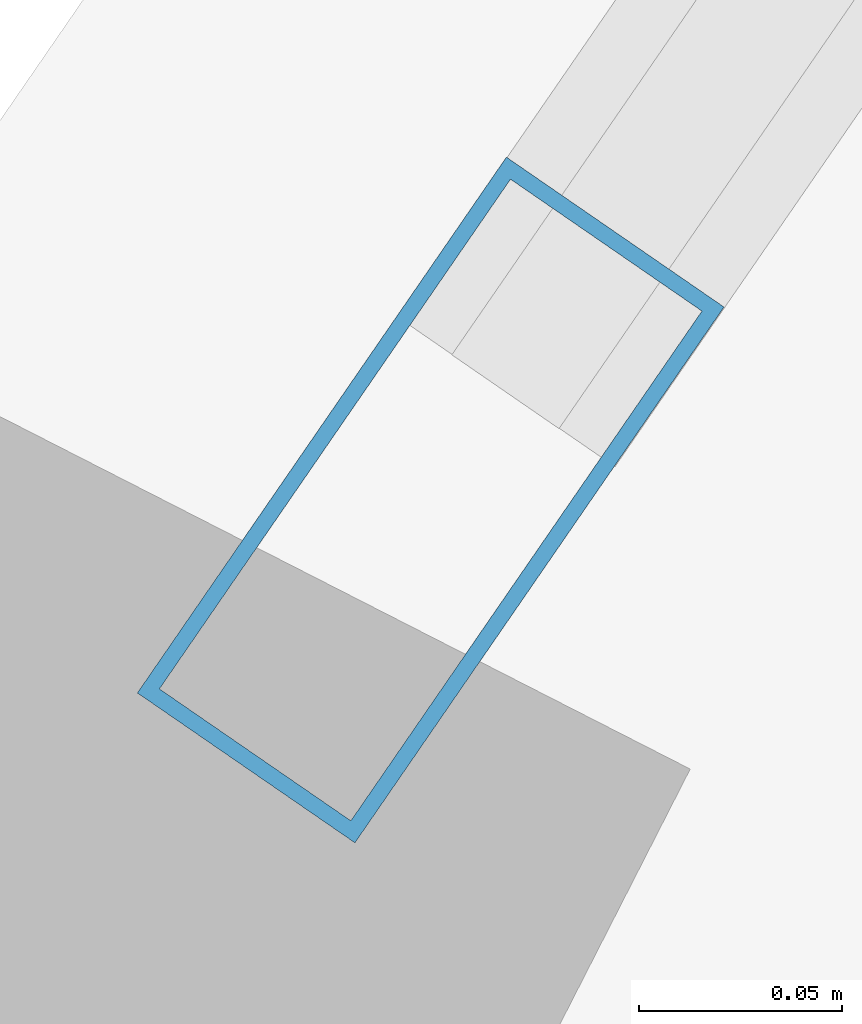
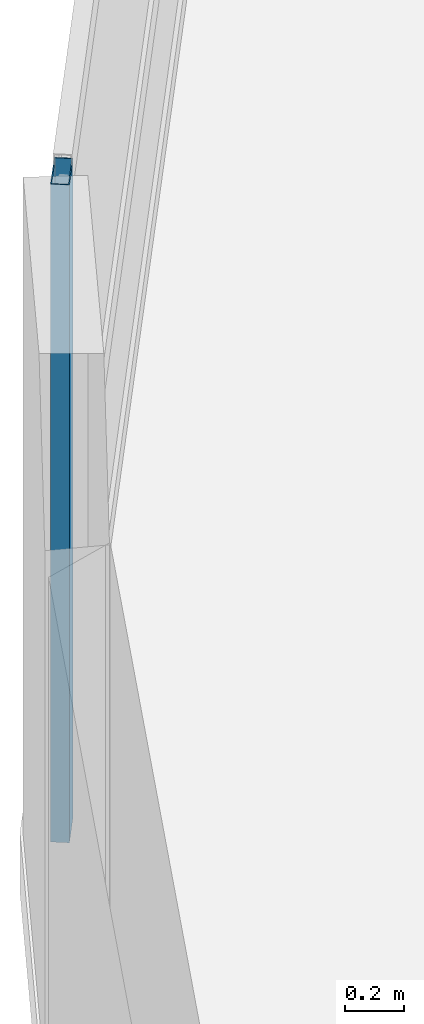
# One storey, part 2 of 24: 1 member, 1 element without a shape of its own.
"""IFC4 building model written with IfcOpenShell, lengths in metres."""

from ifc_helpers import new_model, si_unit, direction, frame, origin, origin_2d, place, context, subcontext, project, spatial, hollow_rectangle, extrude, material, layer, layer_set, material_profile, profile_set, type_object, element, aggregate, save


model = new_model("IFC4")

# Units and contexts
model_context = context("Model", 3, precision=1e-05, world=origin(), true_north=direction((0.0, 1.0)))
body_context = subcontext(model_context, "Body", "Model", "MODEL_VIEW")
ifc_project = project(units=[si_unit("LENGTHUNIT", "METRE"), si_unit("AREAUNIT", "SQUARE_METRE"), si_unit("VOLUMEUNIT", "CUBIC_METRE"), si_unit("PLANEANGLEUNIT", "RADIAN"), si_unit("MASSUNIT", "GRAM", prefix="KILO")], contexts=[model_context])

# Site, building, storey
site_placement = place(None, origin())
site = spatial("IfcSite", under=ifc_project, at=site_placement, CompositionType="ELEMENT")
building_placement = place(site_placement, origin())
building = spatial("IfcBuilding", under=site, at=building_placement, Name="Varnelok Gate Tower", CompositionType="ELEMENT")
storey_placement = place(building_placement, frame((0.0, 0.0, 41.800048828125)))
storey = spatial("IfcBuildingStorey", under=building, at=storey_placement, Name="L09", CompositionType="ELEMENT", Elevation=41.800048828125)

# Curtain wall, member
ifc_material = material(Name="Anodized Aluminum Alloy 6063-T6", Category="aluminium")
ifc_layer = layer(ifc_material, 0.179931640625)
ifc_layer_set = layer_set([ifc_layer], Name="Anodized Aluminum Alloy 6063-T6")
curtain_wall_type = type_object("IfcCurtainWallType", Name="CW3-HOTEL-VISION", PredefinedType="USERDEFINED", material=ifc_layer_set)
curtain_wall_placement = place(storey_placement, origin())
curtain_wall = element("IfcCurtainWall", 1, at=curtain_wall_placement, inside=storey, type_object=curtain_wall_type, Name="L09 West End Vision Curtain Wall", ObjectType="UNITISED CURTAIN WALL", PredefinedType="USERDEFINED")
ifc_material_profile = material_profile(ifc_material, hollow_rectangle(XDim=0.06494140625, YDim=0.159912109375, WallThickness=0.00390625, at=origin_2d()), Name="ALU160X65X4")
ifc_profile_set = profile_set([ifc_material_profile], Name="Anodized Aluminum Alloy 6063-T6")
member_type = type_object("IfcMemberType", Name="CW-MULL-160", PredefinedType="MULLION", material=ifc_profile_set)
member_placement = place(storey_placement, frame((-4.1240234375, 31.2607421875, 0.0), z_axis=(0.0, 0.0, 1.0), x_axis=(-0.823532685111, 0.567268822124, 0.0)))
member = element("IfcMember", 2, at=member_placement, type_object=member_type, Name="CW3 mullion 1", PredefinedType="MULLION", context=body_context, shape_type="SweptSolid", body=[
    extrude(hollow_rectangle(XDim=0.06494140625, YDim=0.159912109375, WallThickness=0.00390625, at=origin_2d()), origin(), (0.0, 0.0, 1.0), 2.72998046875),
])
aggregate(curtain_wall, [member])

save(model, "model.ifc")
